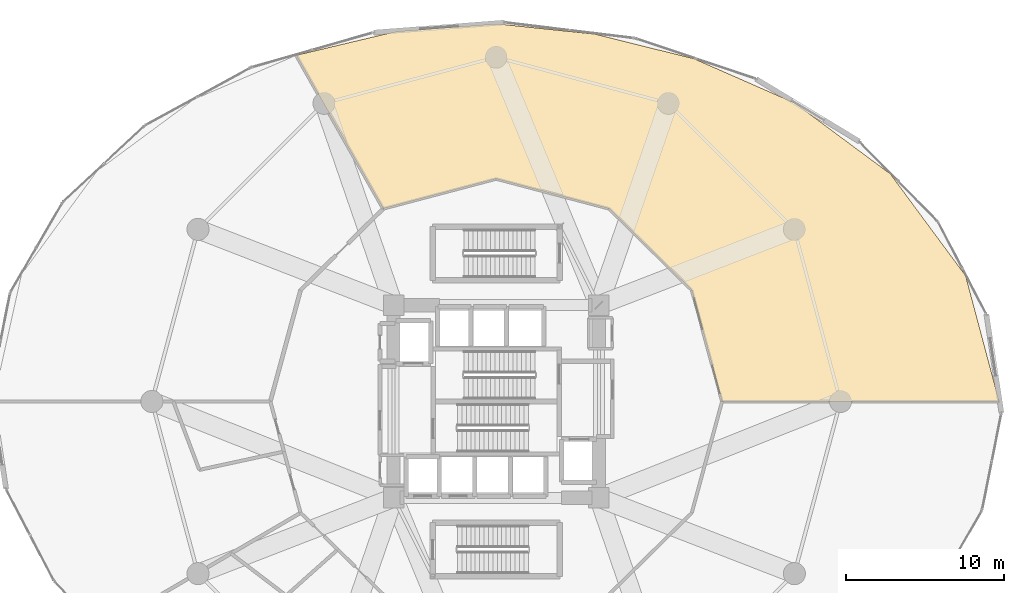
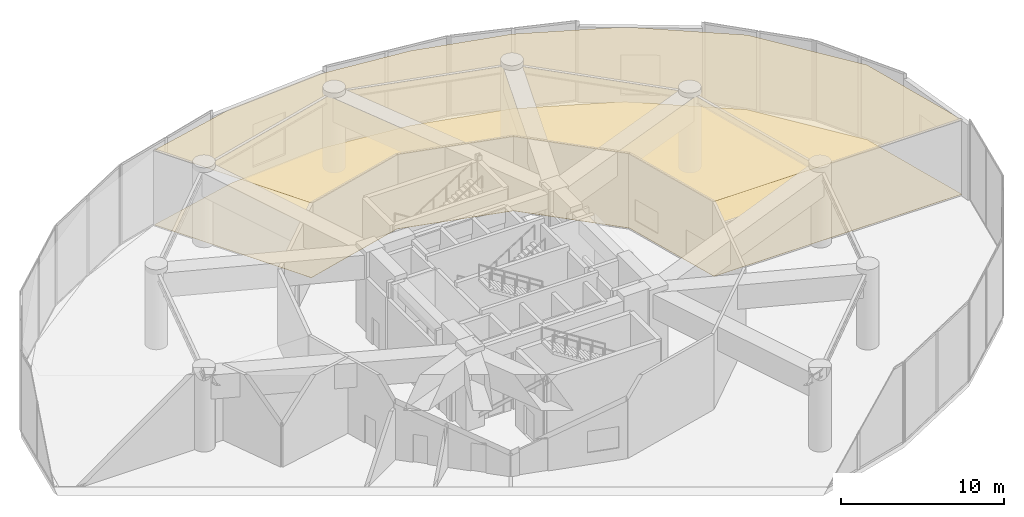
# One storey, part 28 of 28: 2 coverings.
"""IFC4 building model written with IfcOpenShell, lengths in metres."""

from ifc_helpers import new_model, si_unit, direction, frame, origin, place, context, subcontext, project, spatial, polyline, outline, extrude, material, layer, layer_set, type_object, element, save


model = new_model("IFC4")

# Units and contexts
model_context = context("Model", 3, precision=1e-05, world=origin(), true_north=direction((0.0, 1.0)))
body_context = subcontext(model_context, "Body", "Model", "MODEL_VIEW")
ifc_project = project(units=[si_unit("LENGTHUNIT", "METRE"), si_unit("AREAUNIT", "SQUARE_METRE"), si_unit("VOLUMEUNIT", "CUBIC_METRE"), si_unit("PLANEANGLEUNIT", "RADIAN"), si_unit("MASSUNIT", "GRAM", prefix="KILO")], contexts=[model_context])

# Site, building, storey
site_placement = place(None, origin())
site = spatial("IfcSite", under=ifc_project, at=site_placement, CompositionType="ELEMENT")
building_placement = place(site_placement, origin())
building = spatial("IfcBuilding", under=site, at=building_placement, Name="Solvirekh Grand Hotel", CompositionType="ELEMENT")
storey_placement = place(building_placement, frame((0.0, 0.0, 12.60009765625)))
storey = spatial("IfcBuildingStorey", under=building, at=storey_placement, Name="L02", CompositionType="ELEMENT", Elevation=12.60009765625)

# Coverings
ifc_material_1 = material(Name="Acoustic Mineral Ceiling Tile")
ifc_layer_1 = layer(ifc_material_1, 0.02490234375)
ifc_layer_set_1 = layer_set([ifc_layer_1], Name="Acoustic Mineral Ceiling Tile")
covering_type_1 = type_object("IfcCoveringType", Name="Cov_Ceiling_Acoustic", PredefinedType="CEILING", material=ifc_layer_set_1)
covering_1_placement = place(storey_placement, frame((0.0, 0.0, 5.58984375)))
element("IfcCovering", 1, at=covering_1_placement, inside=storey, type_object=covering_type_1, Name="L02 Pre-Function Champagne Foyer acoustic ceiling", PredefinedType="CEILING", context=body_context, shape_type="SweptSolid", body=[
    extrude(outline(polyline([(31.843017578125, 0.0), (29.718017578125, 7.962890625), (24.955078125, 14.407958984375), (18.89892578125, 18.89892578125), (12.528076171875, 21.698974609375), (6.23291015625, 23.261962890625), (0.0, 23.9130859375), (-6.279052734375, 23.43505859375), (-12.656005859375, 21.919921875), (-7.14990234375, 12.2109375), (0.0, 14.10009765625), (7.14990234375, 12.2109375), (12.384033203125, 7.050048828125), (14.300048828125, 0.0), (31.843017578125, 0.0)])), origin(), (0.0, 0.0, 1.0), 0.01806640625),
])
ifc_material_2 = material(Name="Porcelain Stoneware Flooring", Category="masonry")
ifc_layer_2 = layer(ifc_material_2, 0.030029296875)
ifc_layer_set_2 = layer_set([ifc_layer_2], Name="Porcelain Stoneware Flooring")
covering_type_2 = type_object("IfcCoveringType", Name="Cov_Floor_Stone", PredefinedType="FLOORING", material=ifc_layer_set_2)
covering_2_placement = place(storey_placement, origin())
element("IfcCovering", 2, at=covering_2_placement, inside=storey, type_object=covering_type_2, Name="L02 Pre-Function Champagne Foyer polished granite flooring", PredefinedType="FLOORING", context=body_context, shape_type="SweptSolid", body=[
    extrude(outline(polyline([(31.843017578125, 0.0), (29.718017578125, 7.962890625), (24.955078125, 14.407958984375), (18.89892578125, 18.89892578125), (12.528076171875, 21.698974609375), (6.23291015625, 23.261962890625), (0.0, 23.9130859375), (-6.279052734375, 23.43505859375), (-12.656005859375, 21.919921875), (-7.14990234375, 12.2109375), (0.0, 14.10009765625), (7.14990234375, 12.2109375), (12.384033203125, 7.050048828125), (14.300048828125, 0.0), (31.843017578125, 0.0)])), origin(), (0.0, 0.0, 1.0), 0.02001953125),
])

save(model, "model.ifc")
